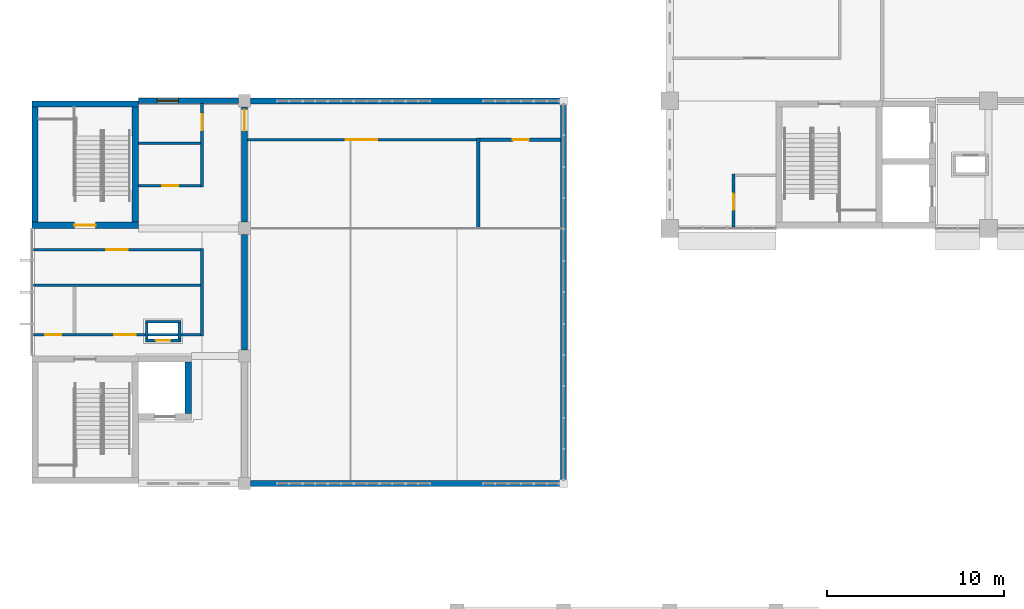
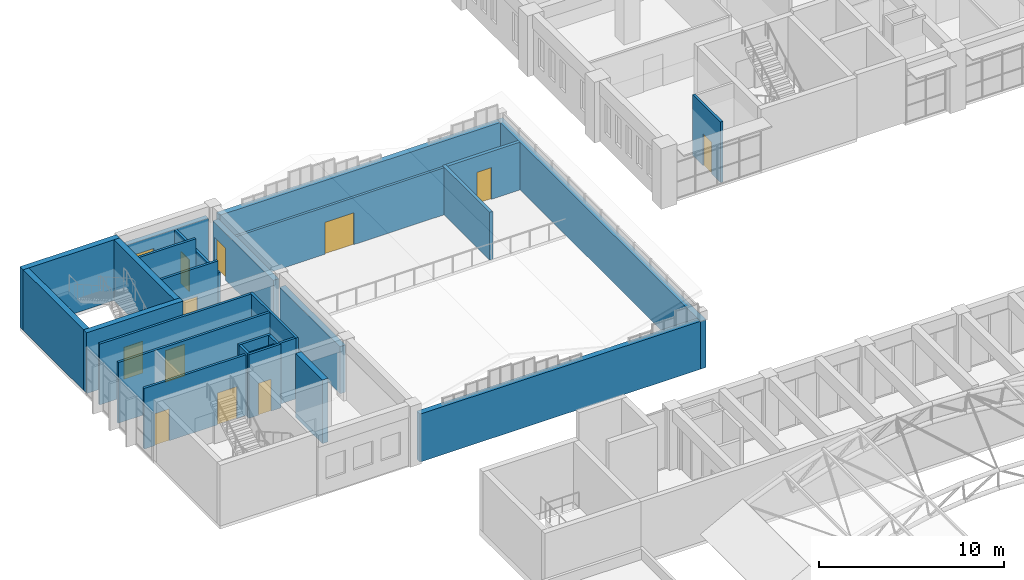
# One storey, part 62 of 92: 26 walls, 11 doors, 1 window, 12 openings.
"""IFC4 building model written with IfcOpenShell, lengths in metres."""

import ifcopenshell
import ifcopenshell.guid

model = None  # the IFC model being written
_history = None  # IfcOwnerHistory: only IFC2X3 demands one
_inside = {}  # id of a spatial element -> (the spatial element, [elements in it])
_under = {}  # id of a project, library or spatial element -> (it, [spatial elements below it])
_declared = {}  # id of a project -> (the project, [libraries it declares])
_typed = {}  # id of a type object -> (the type object, [elements of that type])
_made_of = {}  # id of a material, layer set ... -> (it, [elements and type objects made of it])


def new_model(schema):
    """Start an empty IFC model of exactly this schema.

    Asked for "IFC4X3", IfcOpenShell would pick the latest addendum, in which some entities
    have other attributes; the version numbers below select the first issue.
    IFC2X3 requires an IfcOwnerHistory on every rooted entity: one is made here for all.
    """
    global model, _history
    if schema == "IFC4X3":
        model = ifcopenshell.file(schema_version=(4, 3, 0, 0))
    else:
        model = ifcopenshell.file(schema=schema)
    _inside.clear()
    _under.clear()
    _declared.clear()
    _typed.clear()
    _made_of.clear()
    _history = None
    if model.schema == "IFC2X3":
        org = make("IfcOrganization", Name="unknown")
        user = make(
            "IfcPersonAndOrganization",
            ThePerson=make("IfcPerson", FamilyName="unknown"),
            TheOrganization=org,
        )
        app = make(
            "IfcApplication",
            ApplicationDeveloper=org,
            Version="unknown",
            ApplicationFullName="unknown",
            ApplicationIdentifier="unknown",
        )
        _history = make(
            "IfcOwnerHistory",
            OwningUser=user,
            OwningApplication=app,
            ChangeAction="ADDED",
            CreationDate=0,
        )
    return model


def make(cls, **values):
    """One entity of the class cls with the attributes given. An attribute that is None is left unset."""
    return model.create_entity(
        cls, **{name: value for name, value in values.items() if value is not None}
    )


def rooted(cls, **values):
    """An entity with a GlobalId (a new one), such as an element, a storey or a relation."""
    return make(cls, GlobalId=ifcopenshell.guid.new(), OwnerHistory=_history, **values)


def si_unit(unit_type, name, prefix=None):
    """IfcSIUnit, for example si_unit("LENGTHUNIT", "METRE", prefix="MILLI")."""
    return make("IfcSIUnit", UnitType=unit_type, Prefix=prefix, Name=name)


def assignment(units):
    """IfcUnitAssignment: the units of a project."""
    return None if units is None else make("IfcUnitAssignment", Units=units)


def point(xyz):
    """IfcCartesianPoint."""
    return None if xyz is None else make("IfcCartesianPoint", Coordinates=xyz)


def direction(xyz):
    """IfcDirection."""
    return None if xyz is None else make("IfcDirection", DirectionRatios=xyz)


def frame(location, z_axis=None, x_axis=None):
    """IfcAxis2Placement3D, a coordinate frame: its origin and axes. An axis left out is left unset."""
    return make(
        "IfcAxis2Placement3D",
        Location=point(location),
        Axis=direction(z_axis),
        RefDirection=direction(x_axis),
    )


def frame_2d(location, x_axis=None):
    """IfcAxis2Placement2D, a coordinate frame in the plane: its origin and x axis."""
    return make(
        "IfcAxis2Placement2D", Location=point(location), RefDirection=direction(x_axis)
    )


def origin():
    """The frame at (0, 0, 0) with its axes left unset."""
    return frame((0.0, 0.0, 0.0))


def place(relative_to, where):
    """IfcLocalPlacement: puts the frame where relative to a parent placement (None: the world)."""
    return make(
        "IfcLocalPlacement", PlacementRelTo=relative_to, RelativePlacement=where
    )


def context(
    kind, dimensions, precision=None, world=None, true_north=None, identifier=None
):
    """IfcGeometricRepresentationContext, for example the 3D "Model" context."""
    return make(
        "IfcGeometricRepresentationContext",
        ContextIdentifier=identifier,
        ContextType=kind,
        CoordinateSpaceDimension=dimensions,
        Precision=precision,
        WorldCoordinateSystem=world,
        TrueNorth=true_north,
    )


def subcontext(parent, identifier, kind, view, scale=None):
    """IfcGeometricRepresentationSubContext, for example "Body" below "Model"."""
    return make(
        "IfcGeometricRepresentationSubContext",
        ContextIdentifier=identifier,
        ContextType=kind,
        ParentContext=parent,
        TargetScale=scale,
        TargetView=view,
    )


def project(units=None, contexts=None):
    """IfcProject with its units and contexts."""
    return rooted(
        "IfcProject",
        Name="project",
        RepresentationContexts=contexts,
        UnitsInContext=assignment(units),
    )


def spatial(cls, under=None, at=None, **own):
    """A site, building, storey or space (cls), placed at a placement, below another one or the project."""
    s = rooted(cls, ObjectPlacement=at, **own)
    if under is not None:
        _under.setdefault(under.id(), (under, []))[1].append(s)
    return s


def profile(cls, at=None, kind="AREA", **sizes):
    """A parametric profile (cls). Its sizes go by their IFC names, for example OverallWidth=200.0."""
    return make(cls, ProfileType=kind, Position=at, **sizes)


def rectangle(**sizes):
    """IfcRectangleProfileDef."""
    return profile("IfcRectangleProfileDef", **sizes)


def extrude(swept, where, along, depth):
    """IfcExtrudedAreaSolid: the profile swept, set in the frame where, extruded along a direction by depth."""
    return make(
        "IfcExtrudedAreaSolid",
        SweptArea=swept,
        Position=where,
        ExtrudedDirection=direction(along),
        Depth=depth,
    )


def shape(context_of_items, identifier, shape_type, items):
    """IfcShapeRepresentation: the items that make up one representation, for example the "Body"."""
    return make(
        "IfcShapeRepresentation",
        ContextOfItems=context_of_items,
        RepresentationIdentifier=identifier,
        RepresentationType=shape_type,
        Items=items,
    )


def material(Name=None, Category=None):
    """IfcMaterial."""
    return make("IfcMaterial", Name=Name, Category=Category)


def layer(
    of_material, thickness, ventilated=None, Name=None, Category=None, Priority=None
):
    """IfcMaterialLayer: one layer of a wall or slab, of a material (None: an air gap)."""
    return make(
        "IfcMaterialLayer",
        Material=of_material,
        LayerThickness=thickness,
        IsVentilated=ventilated,
        Name=Name,
        Category=Category,
        Priority=Priority,
    )


def layer_set(layers, Name=None):
    """IfcMaterialLayerSet."""
    return make("IfcMaterialLayerSet", MaterialLayers=layers, LayerSetName=Name)


def made_of(thing, what):
    """Note that an element or type object is made of a material, layer set ...; save() writes the relation."""
    if what is not None:
        _made_of.setdefault(what.id(), (what, []))[1].append(thing)
    return thing


def type_object(cls, material=None, **own):
    """A type object (cls), such as IfcWallType, which elements share."""
    return made_of(rooted(cls, **own), material)


def element(
    cls,
    number,
    at=None,
    inside=None,
    cuts=None,
    type_object=None,
    material=None,
    context=None,
    identifier="Body",
    shape_type=None,
    held_by="IfcProductDefinitionShape",
    body=None,
    shapes=None,
    **own,
):
    """One element of the class cls, such as IfcWall. Its Tag is "e" and its number.

    at: its placement. inside: the storey or other place that contains it. cuts: it is an
    opening in that element (IfcRelVoidsElement). A single representation is given by context,
    identifier, shape_type and body (its items); several are given by shapes. held_by: the class
    of the entity that holds the representations. save() writes the other relations.
    """
    e = rooted(cls, Tag="e%d" % number, ObjectPlacement=at, **own)
    if body is not None:
        shapes = [shape(context, identifier, shape_type, body)]
    if shapes is not None:
        e.Representation = make(held_by, Representations=shapes)
    if inside is not None:
        _inside.setdefault(inside.id(), (inside, []))[1].append(e)
    if cuts is not None:
        rooted(
            "IfcRelVoidsElement", RelatingBuildingElement=cuts, RelatedOpeningElement=e
        )
    if type_object is not None:
        _typed.setdefault(type_object.id(), (type_object, []))[1].append(e)
    return made_of(e, material)


def fill(opening, filler):
    """IfcRelFillsElement: the door or window that sits in an opening."""
    return rooted(
        "IfcRelFillsElement",
        RelatingOpeningElement=opening,
        RelatedBuildingElement=filler,
    )


def aggregate(whole, parts):
    """IfcRelAggregates: a whole, such as a stair, and the parts it consists of."""
    return rooted("IfcRelAggregates", RelatingObject=whole, RelatedObjects=parts)


def save(model, path):
    """Write the relations noted so far, then the file.

    IfcRelAggregates (storeys below a building ...), IfcRelContainedInSpatialStructure (elements
    in a storey), IfcRelDefinesByType, IfcRelAssociatesMaterial and IfcRelDeclares: one each for
    every whole, place, type object, material and project.
    """
    for whole, parts in _under.values():
        aggregate(whole, parts)
    for where, things in _inside.values():
        rooted(
            "IfcRelContainedInSpatialStructure",
            RelatedElements=things,
            RelatingStructure=where,
        )
    for kind, things in _typed.values():
        rooted("IfcRelDefinesByType", RelatedObjects=things, RelatingType=kind)
    for what, things in _made_of.values():
        rooted("IfcRelAssociatesMaterial", RelatedObjects=things, RelatingMaterial=what)
    for by, libraries in _declared.values():
        rooted("IfcRelDeclares", RelatingContext=by, RelatedDefinitions=libraries)
    model.write(path)


model = new_model("IFC4")

# Units and contexts
model_context = context("Model", 3, precision=1e-05, world=origin(), true_north=direction((0.0, 1.0)))
body_context = subcontext(model_context, "Body", "Model", "MODEL_VIEW")
ifc_project = project(units=[si_unit("LENGTHUNIT", "METRE"), si_unit("AREAUNIT", "SQUARE_METRE"), si_unit("VOLUMEUNIT", "CUBIC_METRE"), si_unit("PLANEANGLEUNIT", "RADIAN"), si_unit("MASSUNIT", "GRAM", prefix="KILO")], contexts=[model_context])

# Site, building, storey
site_placement = place(None, origin())
site = spatial("IfcSite", under=ifc_project, at=site_placement, CompositionType="ELEMENT")
building_placement = place(site_placement, origin())
building = spatial("IfcBuilding", under=site, at=building_placement, Name="Laocheng Heights Fire and Rescue Headquarters", CompositionType="ELEMENT")
storey_placement = place(building_placement, frame((0.0, 0.0, 12.60009765625)))
storey = spatial("IfcBuildingStorey", under=building, at=storey_placement, Name="L03", CompositionType="ELEMENT", Elevation=12.60009765625)

# Wall, opening, door
ifc_material_1 = material(Name="Gypsum plaster")
ifc_layer_1 = layer(ifc_material_1, 0.010009765625, Name="PLASTER", Category="plaster")
ifc_material_2 = material(Name="Concrete blockwork MU10", Category="masonry")
ifc_layer_2 = layer(ifc_material_2, 0.1298828125, Name="BLOCKWORK", Category="masonry")
ifc_layer_3 = layer(ifc_material_1, 0.010009765625, Name="PLASTER", Category="plaster")
ifc_layer_set_1 = layer_set([ifc_layer_1, ifc_layer_2, ifc_layer_3], Name="Concrete blockwork MU10")
wall_type_1 = type_object("IfcWallType", Name="BLOCKWORK CORRIDOR WALL 150 EI 60 HQ WING", PredefinedType="PARTITIONING", material=ifc_layer_set_1)
wall_1_placement = place(storey_placement, frame((39.60009765625, 50.47509765625, 0.0), z_axis=(0.0, 0.0, 1.0), x_axis=(0.0, 1.0, 0.0)))
wall_1 = element("IfcWall", 1, at=wall_1_placement, inside=storey, type_object=wall_type_1, Name="Partition L03-001", PredefinedType="PARTITIONING", context=body_context, shape_type="SweptSolid", body=[
    extrude(rectangle(XDim=3.0, YDim=0.14990234375, at=frame_2d((1.5, 0.0))), origin(), (0.0, 0.0, 1.0), 4.0),
])
opening_1_placement = place(wall_1_placement, frame((0.97509765625, 0.0, 0.0)))
opening_1 = element("IfcOpeningElement", 2, at=opening_1_placement, cuts=wall_1, Name="Opening L03-Y01", PredefinedType="OPENING", context=body_context, shape_type="SweptSolid", body=[
    extrude(rectangle(XDim=0.89990234375, YDim=2.10009765625, at=frame_2d((0.449951171875, 1.050048828125))), frame((0.0, 0.0849609375, 0.0), z_axis=(0.0, -1.0, 0.0), x_axis=(1.0, 0.0, 0.0)), (0.0, 0.0, 1.0), 0.169921875),
])
ifc_material_3 = material(Name="Timber door leaf, veneered", Category="wood")
door_type_1 = type_object("IfcDoorType", Name="TIMBER DOOR 900x2100 EI 30 HQ WING", OperationType="SINGLE_SWING_LEFT", PredefinedType="DOOR", material=ifc_material_3)
door_1_placement = place(opening_1_placement, frame((0.89990234375, 0.0, 0.0), z_axis=(0.0, 0.0, 1.0), x_axis=(-1.0, 0.0, 0.0)))
door_1 = element("IfcDoor", 3, at=door_1_placement, inside=storey, type_object=door_type_1, Name="Door L03-Y01", OperationType="SINGLE_SWING_LEFT", OverallHeight=2.10009765625, OverallWidth=0.89990234375, PredefinedType="DOOR", context=body_context, shape_type="SweptSolid", body=[
    extrude(rectangle(XDim=0.89990234375, YDim=2.10009765625, at=frame_2d((0.449951171875, 1.050048828125))), frame((0.0, 0.02490234375, 0.0), z_axis=(0.0, -1.0, 0.0), x_axis=(1.0, 0.0, 0.0)), (0.0, 0.0, 1.0), 0.050048828125),
])
fill(opening_1, door_1)

# Wall
ifc_material_4 = material(Name="Gypsum plaster")
ifc_layer_4 = layer(ifc_material_4, 0.010009765625, Name="PLASTER", Category="plaster")
ifc_material_5 = material(Name="Concrete blockwork MU10", Category="masonry")
ifc_layer_5 = layer(ifc_material_5, 0.1298828125, Name="BLOCKWORK", Category="masonry")
ifc_layer_6 = layer(ifc_material_4, 0.010009765625, Name="PLASTER", Category="plaster")
ifc_layer_set_2 = layer_set([ifc_layer_4, ifc_layer_5, ifc_layer_6], Name="Concrete blockwork MU10")
wall_type_2 = type_object("IfcWallType", Name="BLOCKWORK CORRIDOR WALL 150 EI 60 PAVILION", PredefinedType="PARTITIONING", material=ifc_layer_set_2)
wall_2_placement = place(storey_placement, frame((9.60009765625, 44.324951171875, 0.0), z_axis=(0.0, 0.0, 1.0), x_axis=(0.0, 1.0, 0.0)))
element("IfcWall", 4, at=wall_2_placement, inside=storey, type_object=wall_type_2, Name="Partition L03-002", PredefinedType="PARTITIONING", context=body_context, shape_type="SweptSolid", body=[
    extrude(rectangle(XDim=4.949951171875, YDim=0.14990234375, at=frame_2d((2.47509765625, 0.0))), origin(), (0.0, 0.0, 1.0), 4.0),
])

# Wall, opening, door
wall_3_placement = place(storey_placement, frame((9.60009765625, 52.72509765625, 0.0), z_axis=(0.0, 0.0, 1.0), x_axis=(0.0, 1.0, 0.0)))
wall_3 = element("IfcWall", 5, at=wall_3_placement, inside=storey, type_object=wall_type_2, Name="Partition L03-003", PredefinedType="PARTITIONING", context=body_context, shape_type="SweptSolid", body=[
    extrude(rectangle(XDim=4.724853515625, YDim=0.14990234375, at=frame_2d((2.3623046875, 0.0))), origin(), (0.0, 0.0, 1.0), 3.199951171875),
])
opening_2_placement = place(wall_3_placement, frame((3.22509765625, 0.0, 0.0)))
opening_2 = element("IfcOpeningElement", 6, at=opening_2_placement, cuts=wall_3, Name="Opening L03-P01", PredefinedType="OPENING", context=body_context, shape_type="SweptSolid", body=[
    extrude(rectangle(XDim=0.89990234375, YDim=2.10009765625, at=frame_2d((0.449951171875, 1.050048828125))), frame((0.0, 0.0849609375, 0.0), z_axis=(0.0, -1.0, 0.0), x_axis=(1.0, 0.0, 0.0)), (0.0, 0.0, 1.0), 0.169921875),
])
ifc_material_6 = material(Name="Timber door leaf, veneered", Category="wood")
door_type_2 = type_object("IfcDoorType", Name="TIMBER DOOR 900x2100 EI 30 PAVILION", OperationType="SINGLE_SWING_LEFT", PredefinedType="DOOR", material=ifc_material_6)
door_2_placement = place(opening_2_placement, frame((0.89990234375, 0.0, 0.0), z_axis=(0.0, 0.0, 1.0), x_axis=(-1.0, 0.0, 0.0)))
door_2 = element("IfcDoor", 7, at=door_2_placement, inside=storey, type_object=door_type_2, Name="Door L03-P01", OperationType="SINGLE_SWING_LEFT", OverallHeight=2.10009765625, OverallWidth=0.89990234375, PredefinedType="DOOR", context=body_context, shape_type="SweptSolid", body=[
    extrude(rectangle(XDim=0.89990234375, YDim=2.10009765625, at=frame_2d((0.449951171875, 1.050048828125))), frame((0.0, 0.02490234375, 0.0), z_axis=(0.0, -1.0, 0.0), x_axis=(1.0, 0.0, 0.0)), (0.0, 0.0, 1.0), 0.050048828125),
])
fill(opening_2, door_2)

# Wall, openings, doors
wall_4_placement = place(storey_placement, frame((0.074951171875, 44.39990234375, 0.0), z_axis=(0.0, 0.0, 1.0), x_axis=(1.0, 0.0, 0.0)))
wall_4 = element("IfcWall", 8, at=wall_4_placement, inside=storey, type_object=wall_type_2, Name="Partition L03-005", PredefinedType="PARTITIONING", context=body_context, shape_type="SweptSolid", body=[
    extrude(rectangle(XDim=9.449951171875, YDim=0.14990234375, at=frame_2d((4.72509765625, 0.0))), origin(), (0.0, 0.0, 1.0), 4.0),
])
opening_3_placement = place(wall_4_placement, frame((0.675048828125, 0.0, 0.0)))
opening_3 = element("IfcOpeningElement", 9, at=opening_3_placement, cuts=wall_4, Name="Opening L03-P03", PredefinedType="OPENING", context=body_context, shape_type="SweptSolid", body=[
    extrude(rectangle(XDim=0.89990234375, YDim=2.10009765625, at=frame_2d((0.449951171875, 1.050048828125))), frame((0.0, 0.0849609375, 0.0), z_axis=(0.0, -1.0, 0.0), x_axis=(1.0, 0.0, 0.0)), (0.0, 0.0, 1.0), 0.169921875),
])
opening_4_placement = place(wall_4_placement, frame((4.574951171875, 0.0, 0.0)))
opening_4 = element("IfcOpeningElement", 10, at=opening_4_placement, cuts=wall_4, Name="Opening L03-P04", PredefinedType="OPENING", context=body_context, shape_type="SweptSolid", body=[
    extrude(rectangle(XDim=1.199951171875, YDim=2.10009765625, at=frame_2d((0.60009765625, 1.050048828125))), frame((0.0, 0.0849609375, 0.0), z_axis=(0.0, -1.0, 0.0), x_axis=(1.0, 0.0, 0.0)), (0.0, 0.0, 1.0), 0.169921875),
])
ifc_material_7 = material(Name="Timber door leaf, veneered", Category="wood")
door_type_3 = type_object("IfcDoorType", Name="TIMBER DOOR 1200x2100 EI 30 PAVILION", OperationType="SINGLE_SWING_LEFT", PredefinedType="DOOR", material=ifc_material_7)
door_3_placement = place(opening_4_placement, frame((1.199951171875, 0.0, 0.0), z_axis=(0.0, 0.0, 1.0), x_axis=(-1.0, 0.0, 0.0)))
door_3 = element("IfcDoor", 11, at=door_3_placement, inside=storey, type_object=door_type_3, Name="Door L03-P04", OperationType="SINGLE_SWING_LEFT", OverallHeight=2.10009765625, OverallWidth=1.199951171875, PredefinedType="DOOR", context=body_context, shape_type="SweptSolid", body=[
    extrude(rectangle(XDim=1.199951171875, YDim=2.10009765625, at=frame_2d((0.60009765625, 1.050048828125))), frame((0.0, 0.02490234375, 0.0), z_axis=(0.0, -1.0, 0.0), x_axis=(1.0, 0.0, 0.0)), (0.0, 0.0, 1.0), 0.050048828125),
])
fill(opening_4, door_3)
door_4_placement = place(opening_3_placement, frame((0.89990234375, 0.0, 0.0), z_axis=(0.0, 0.0, 1.0), x_axis=(-1.0, 0.0, 0.0)))
door_4 = element("IfcDoor", 12, at=door_4_placement, inside=storey, type_object=door_type_2, Name="Door L03-P03", OperationType="SINGLE_SWING_RIGHT", OverallHeight=2.10009765625, OverallWidth=0.89990234375, PredefinedType="DOOR", context=body_context, shape_type="SweptSolid", body=[
    extrude(rectangle(XDim=0.89990234375, YDim=2.10009765625, at=frame_2d((0.449951171875, 1.050048828125))), frame((0.0, 0.02490234375, 0.0), z_axis=(0.0, -1.0, 0.0), x_axis=(1.0, 0.0, 0.0)), (0.0, 0.0, 1.0), 0.050048828125),
])
fill(opening_3, door_4)

# Wall
wall_5_placement = place(storey_placement, frame((0.074951171875, 47.199951171875, 0.0), z_axis=(0.0, 0.0, 1.0), x_axis=(1.0, 0.0, 0.0)))
element("IfcWall", 13, at=wall_5_placement, inside=storey, type_object=wall_type_2, Name="Partition L03-006", PredefinedType="PARTITIONING", context=body_context, shape_type="SweptSolid", body=[
    extrude(rectangle(XDim=9.449951171875, YDim=0.14990234375, at=frame_2d((4.72509765625, 0.0))), origin(), (0.0, 0.0, 1.0), 4.0),
])

# Wall, opening, door
wall_6_placement = place(storey_placement, frame((0.074951171875, 49.199951171875, 0.0), z_axis=(0.0, 0.0, 1.0), x_axis=(1.0, 0.0, 0.0)))
wall_6 = element("IfcWall", 14, at=wall_6_placement, inside=storey, type_object=wall_type_2, Name="Partition L03-007", PredefinedType="PARTITIONING", context=body_context, shape_type="SweptSolid", body=[
    extrude(rectangle(XDim=9.449951171875, YDim=0.14990234375, at=frame_2d((4.72509765625, 0.0))), origin(), (0.0, 0.0, 1.0), 4.0),
])
opening_5_placement = place(wall_6_placement, frame((4.125, 0.0, 0.0)))
opening_5 = element("IfcOpeningElement", 15, at=opening_5_placement, cuts=wall_6, Name="Opening L03-P05", PredefinedType="OPENING", context=body_context, shape_type="SweptSolid", body=[
    extrude(rectangle(XDim=1.199951171875, YDim=2.10009765625, at=frame_2d((0.60009765625, 1.050048828125))), frame((0.0, 0.0849609375, 0.0), z_axis=(0.0, -1.0, 0.0), x_axis=(1.0, 0.0, 0.0)), (0.0, 0.0, 1.0), 0.169921875),
])
door_5_placement = place(opening_5_placement, origin())
door_5 = element("IfcDoor", 16, at=door_5_placement, inside=storey, type_object=door_type_3, Name="Door L03-P05", OperationType="SINGLE_SWING_LEFT", OverallHeight=2.10009765625, OverallWidth=1.199951171875, PredefinedType="DOOR", context=body_context, shape_type="SweptSolid", body=[
    extrude(rectangle(XDim=1.199951171875, YDim=2.10009765625, at=frame_2d((0.60009765625, 1.050048828125))), frame((0.0, 0.02490234375, 0.0), z_axis=(0.0, -1.0, 0.0), x_axis=(1.0, 0.0, 0.0)), (0.0, 0.0, 1.0), 0.050048828125),
])
fill(opening_5, door_5)

wall_7_placement = place(storey_placement, frame((6.0, 52.800048828125, 0.0), z_axis=(0.0, 0.0, 1.0), x_axis=(1.0, 0.0, 0.0)))
wall_7 = element("IfcWall", 17, at=wall_7_placement, inside=storey, type_object=wall_type_2, Name="Partition L03-008", PredefinedType="PARTITIONING", context=body_context, shape_type="SweptSolid", body=[
    extrude(rectangle(XDim=3.52490234375, YDim=0.14990234375, at=frame_2d((1.762451171875, 0.0))), origin(), (0.0, 0.0, 1.0), 4.0),
])
opening_6_placement = place(wall_7_placement, frame((1.35009765625, 0.0, 0.0)))
opening_6 = element("IfcOpeningElement", 18, at=opening_6_placement, cuts=wall_7, Name="Opening L03-P06", PredefinedType="OPENING", context=body_context, shape_type="SweptSolid", body=[
    extrude(rectangle(XDim=0.89990234375, YDim=2.10009765625, at=frame_2d((0.449951171875, 1.050048828125))), frame((0.0, 0.0849609375, 0.0), z_axis=(0.0, -1.0, 0.0), x_axis=(1.0, 0.0, 0.0)), (0.0, 0.0, 1.0), 0.169921875),
])
door_6_placement = place(opening_6_placement, frame((0.89990234375, 0.0, 0.0), z_axis=(0.0, 0.0, 1.0), x_axis=(-1.0, 0.0, 0.0)))
door_6 = element("IfcDoor", 19, at=door_6_placement, inside=storey, type_object=door_type_2, Name="Door L03-P06", OperationType="SINGLE_SWING_RIGHT", OverallHeight=2.10009765625, OverallWidth=0.89990234375, PredefinedType="DOOR", context=body_context, shape_type="SweptSolid", body=[
    extrude(rectangle(XDim=0.89990234375, YDim=2.10009765625, at=frame_2d((0.449951171875, 1.050048828125))), frame((0.0, 0.02490234375, 0.0), z_axis=(0.0, -1.0, 0.0), x_axis=(1.0, 0.0, 0.0)), (0.0, 0.0, 1.0), 0.050048828125),
])
fill(opening_6, door_6)

# Wall
wall_8_placement = place(storey_placement, frame((6.0, 55.199951171875, 0.0), z_axis=(0.0, 0.0, 1.0), x_axis=(1.0, 0.0, 0.0)))
element("IfcWall", 20, at=wall_8_placement, inside=storey, type_object=wall_type_2, Name="Partition L03-009", PredefinedType="PARTITIONING", context=body_context, shape_type="SweptSolid", body=[
    extrude(rectangle(XDim=3.52490234375, YDim=0.14990234375, at=frame_2d((1.762451171875, 0.0))), origin(), (0.0, 0.0, 1.0), 4.0),
])

# Wall, opening, door
wall_9_placement = place(storey_placement, frame((12.175048828125, 55.39990234375, 0.0), z_axis=(0.0, 0.0, 1.0), x_axis=(1.0, 0.0, 0.0)))
wall_9 = element("IfcWall", 21, at=wall_9_placement, inside=storey, type_object=wall_type_2, Name="Partition L03-010", PredefinedType="PARTITIONING", context=body_context, shape_type="SweptSolid", body=[
    extrude(rectangle(XDim=12.925048828125, YDim=0.14990234375, at=frame_2d((6.46240234375, 0.0))), origin(), (0.0, 0.0, 1.0), 3.099853515625),
])
opening_7_placement = place(wall_9_placement, frame((5.52490234375, 0.0, 0.0)))
opening_7 = element("IfcOpeningElement", 22, at=opening_7_placement, cuts=wall_9, Name="Opening L03-P07", PredefinedType="OPENING", context=body_context, shape_type="SweptSolid", body=[
    extrude(rectangle(XDim=1.800048828125, YDim=2.10009765625, at=frame_2d((0.89990234375, 1.050048828125))), frame((0.0, 0.0849609375, 0.0), z_axis=(0.0, -1.0, 0.0), x_axis=(1.0, 0.0, 0.0)), (0.0, 0.0, 1.0), 0.169921875),
])
ifc_material_8 = material(Name="Timber door leaf, veneered", Category="wood")
door_type_4 = type_object("IfcDoorType", Name="TIMBER DOOR 1800x2100 EI 30 PAVILION", OperationType="DOUBLE_DOOR_SINGLE_SWING", PredefinedType="DOOR", material=ifc_material_8)
door_7_placement = place(opening_7_placement, frame((1.800048828125, 0.0, 0.0), z_axis=(0.0, 0.0, 1.0), x_axis=(-1.0, 0.0, 0.0)))
door_7 = element("IfcDoor", 23, at=door_7_placement, inside=storey, type_object=door_type_4, Name="Door L03-P07", OperationType="DOUBLE_DOOR_SINGLE_SWING", OverallHeight=2.10009765625, OverallWidth=1.800048828125, PredefinedType="DOOR", context=body_context, shape_type="SweptSolid", body=[
    extrude(rectangle(XDim=1.800048828125, YDim=2.10009765625, at=frame_2d((0.89990234375, 1.050048828125))), frame((0.0, 0.02490234375, 0.0), z_axis=(0.0, -1.0, 0.0), x_axis=(1.0, 0.0, 0.0)), (0.0, 0.0, 1.0), 0.050048828125),
])
fill(opening_7, door_7)

# Wall
ifc_material_9 = material(Name="Gypsum plaster")
ifc_layer_7 = layer(ifc_material_9, 0.010009765625, Name="PLASTER", Category="plaster")
ifc_material_10 = material(Name="Concrete blockwork MU10", Category="masonry")
ifc_layer_8 = layer(ifc_material_10, 0.179931640625, Name="BLOCKWORK", Category="masonry")
ifc_layer_9 = layer(ifc_material_9, 0.010009765625, Name="PLASTER", Category="plaster")
ifc_layer_set_3 = layer_set([ifc_layer_7, ifc_layer_8, ifc_layer_9], Name="Concrete blockwork MU10")
wall_type_3 = type_object("IfcWallType", Name="BLOCKWORK FIRE PARTITION 200 EI 120 PAVILION", PredefinedType="PARTITIONING", material=ifc_layer_set_3)
wall_10_placement = place(storey_placement, frame((25.199951171875, 50.39990234375, 0.0), z_axis=(0.0, 0.0, 1.0), x_axis=(0.0, 1.0, 0.0)))
element("IfcWall", 24, at=wall_10_placement, inside=storey, type_object=wall_type_3, Name="Partition L03-004", PredefinedType="PARTITIONING", context=body_context, shape_type="SweptSolid", body=[
    extrude(rectangle(XDim=5.10009765625, YDim=0.199951171875, at=frame_2d((2.550048828125, 0.0))), origin(), (0.0, 0.0, 1.0), 3.14990234375),
])

# Wall, opening, door
wall_11_placement = place(storey_placement, frame((25.300048828125, 55.39990234375, 0.0), z_axis=(0.0, 0.0, 1.0), x_axis=(1.0, 0.0, 0.0)))
wall_11 = element("IfcWall", 25, at=wall_11_placement, inside=storey, type_object=wall_type_3, Name="Partition L03-011", PredefinedType="PARTITIONING", context=body_context, shape_type="SweptSolid", body=[
    extrude(rectangle(XDim=4.52490234375, YDim=0.199951171875, at=frame_2d((2.262451171875, 0.0))), origin(), (0.0, 0.0, 1.0), 3.14990234375),
])
opening_8_placement = place(wall_11_placement, frame((1.85009765625, 0.0, 0.0)))
opening_8 = element("IfcOpeningElement", 26, at=opening_8_placement, cuts=wall_11, Name="Opening L03-P08", PredefinedType="OPENING", context=body_context, shape_type="SweptSolid", body=[
    extrude(rectangle(XDim=0.89990234375, YDim=2.10009765625, at=frame_2d((0.449951171875, 1.050048828125))), frame((0.0, 0.10986328125, 0.0), z_axis=(0.0, -1.0, 0.0), x_axis=(1.0, 0.0, 0.0)), (0.0, 0.0, 1.0), 0.219970703125),
])
ifc_material_11 = material(Name="Steel door leaf, painted", Category="steel")
door_type_5 = type_object("IfcDoorType", Name="STEEL FIRE DOOR 900x2100 EI 120 PAVILION", OperationType="SINGLE_SWING_LEFT", PredefinedType="DOOR", material=ifc_material_11)
door_8_placement = place(opening_8_placement, frame((0.89990234375, 0.0, 0.0), z_axis=(0.0, 0.0, 1.0), x_axis=(-1.0, 0.0, 0.0)))
door_8 = element("IfcDoor", 27, at=door_8_placement, inside=storey, type_object=door_type_5, Name="Door L03-P08", OperationType="SINGLE_SWING_LEFT", OverallHeight=2.10009765625, OverallWidth=0.89990234375, PredefinedType="DOOR", context=body_context, shape_type="SweptSolid", body=[
    extrude(rectangle(XDim=0.89990234375, YDim=2.10009765625, at=frame_2d((0.449951171875, 1.050048828125))), frame((0.0, 0.02490234375, 0.0), z_axis=(0.0, -1.0, 0.0), x_axis=(1.0, 0.0, 0.0)), (0.0, 0.0, 1.0), 0.050048828125),
])
fill(opening_8, door_8)

# Wall, opening, window
ifc_material_12 = material(Name="Precast concrete C40/50", Category="concrete")
ifc_layer_10 = layer(ifc_material_12, 0.300048828125)
ifc_layer_set_4 = layer_set([ifc_layer_10], Name="Precast concrete C40/50")
wall_type_4 = type_object("IfcWallType", Name="PRECAST WALL PANEL FOYER 300", PredefinedType="SOLIDWALL", material=ifc_layer_set_4)
wall_12_placement = place(storey_placement, frame((6.0, 57.60009765625, 0.0), z_axis=(0.0, 0.0, 1.0), x_axis=(1.0, 0.0, 0.0)))
wall_12 = element("IfcWall", 28, at=wall_12_placement, inside=storey, type_object=wall_type_4, Name="PRECAST WALL PANEL FOYER FOYER NORTH L03", PredefinedType="SOLIDWALL", context=body_context, shape_type="SweptSolid", body=[
    extrude(rectangle(XDim=5.64990234375, YDim=0.300048828125, at=frame_2d((2.824951171875, 0.0))), origin(), (0.0, 0.0, 1.0), 3.199951171875),
])
opening_9_placement = place(wall_12_placement, frame((1.06494140625, 0.0, 0.89990234375)))
opening_9 = element("IfcOpeningElement", 29, at=opening_9_placement, cuts=wall_12, Name="Opening N1-V", PredefinedType="OPENING", context=body_context, shape_type="SweptSolid", body=[
    extrude(rectangle(XDim=1.199951171875, YDim=1.5, at=frame_2d((0.60009765625, 0.75))), frame((0.0, 0.159912109375, 0.0), z_axis=(0.0, -1.0, 0.0), x_axis=(1.0, 0.0, 0.0)), (0.0, 0.0, 1.0), 0.320068359375),
])
ifc_material_13 = material(Name="Low-e double glazing in aluminium frame", Category="aluminium")
window_type = type_object("IfcWindowType", Name="WINDOW 1200 x 1500 FOYER ALUMINIUM", PartitioningType="SINGLE_PANEL", PredefinedType="WINDOW", material=ifc_material_13)
window_placement = place(opening_9_placement, origin())
window = element("IfcWindow", 30, at=window_placement, inside=storey, type_object=window_type, Name="FOYER ALUMINIUM FOYER NORTH L03", OverallHeight=1.5, OverallWidth=1.199951171875, PartitioningType="SINGLE_PANEL", PredefinedType="WINDOW", context=body_context, shape_type="SweptSolid", body=[
    extrude(rectangle(XDim=1.199951171875, YDim=1.5, at=frame_2d((0.60009765625, 0.75))), frame((0.0, 0.030029296875, 0.0), z_axis=(0.0, -1.0, 0.0), x_axis=(1.0, 0.0, 0.0)), (0.0, 0.0, 1.0), 0.06005859375),
])
fill(opening_9, window)

# Walls
ifc_material_14 = material(Name="Concrete C50", Category="concrete")
ifc_layer_11 = layer(ifc_material_14, 0.35009765625)
ifc_layer_set_5 = layer_set([ifc_layer_11], Name="Concrete C50")
wall_type_5 = type_object("IfcWallType", Name="RC LIFT SHAFT WALL 350", PredefinedType="SHEAR", material=ifc_layer_set_5)
wall_13_placement = place(storey_placement, frame((8.824951171875, 39.949951171875, 0.0), z_axis=(0.0, 0.0, 1.0), x_axis=(0.0, 1.0, 0.0)))
element("IfcWall", 31, at=wall_13_placement, inside=storey, type_object=wall_type_5, Name="Lift shaft wall", PredefinedType="SHEAR", context=body_context, shape_type="SweptSolid", body=[
    extrude(rectangle(XDim=2.900146484375, YDim=0.35009765625, at=frame_2d((1.4501953125, 0.0))), origin(), (0.0, 0.0, 1.0), 4.199951171875),
])
ifc_material_15 = material(Name="Concrete C40", Category="concrete")
ifc_layer_12 = layer(ifc_material_15, 0.35009765625)
ifc_layer_set_6 = layer_set([ifc_layer_12], Name="Concrete C40")
wall_type_6 = type_object("IfcWallType", Name="RC SHEAR WALL 350 THEATRE", PredefinedType="SHEAR", material=ifc_layer_set_6)
wall_14_placement = place(storey_placement, frame((30.0, 35.824951171875, 0.0), z_axis=(0.0, 0.0, 1.0), x_axis=(0.0, 1.0, 0.0)))
element("IfcWall", 32, at=wall_14_placement, inside=storey, type_object=wall_type_6, Name="Theatre east wall L03", PredefinedType="SHEAR", context=body_context, shape_type="SweptSolid", body=[
    extrude(rectangle(XDim=21.949951171875, YDim=0.35009765625, at=frame_2d((10.97509765625, 0.0))), origin(), (0.0, 0.0, 1.0), 3.14990234375),
])
wall_15_placement = place(storey_placement, frame((12.0, 43.550048828125, 0.0), z_axis=(0.0, 0.0, 1.0), x_axis=(0.0, 1.0, 0.0)))
element("IfcWall", 33, at=wall_15_placement, inside=storey, type_object=wall_type_6, Name="Theatre west wall L03", PredefinedType="SHEAR", context=body_context, shape_type="SweptSolid", body=[
    extrude(rectangle(XDim=6.5, YDim=0.35009765625, at=frame_2d((3.25, 0.0))), origin(), (0.0, 0.0, 1.0), 3.099853515625),
])

# Wall, opening, door
wall_16_placement = place(storey_placement, frame((12.0, 50.75, 0.0), z_axis=(0.0, 0.0, 1.0), x_axis=(0.0, 1.0, 0.0)))
wall_16 = element("IfcWall", 34, at=wall_16_placement, inside=storey, type_object=wall_type_6, Name="Theatre west wall L03", PredefinedType="SHEAR", context=body_context, shape_type="SweptSolid", body=[
    extrude(rectangle(XDim=6.5, YDim=0.35009765625, at=frame_2d((3.25, 0.0))), origin(), (0.0, 0.0, 1.0), 3.099853515625),
])
opening_10_placement = place(wall_16_placement, frame((5.14990234375, 0.0, 0.0)))
opening_10 = element("IfcOpeningElement", 35, at=opening_10_placement, cuts=wall_16, Name="Opening L03-P02", PredefinedType="OPENING", context=body_context, shape_type="SweptSolid", body=[
    extrude(rectangle(XDim=1.199951171875, YDim=2.10009765625, at=frame_2d((0.60009765625, 1.050048828125))), frame((0.0, 0.18505859375, 0.0), z_axis=(0.0, -1.0, 0.0), x_axis=(1.0, 0.0, 0.0)), (0.0, 0.0, 1.0), 0.3701171875),
])
ifc_material_16 = material(Name="Steel door leaf, painted", Category="steel")
door_type_6 = type_object("IfcDoorType", Name="STEEL FIRE DOOR 1200x2100 EI 60 PAVILION", OperationType="SINGLE_SWING_LEFT", PredefinedType="DOOR", material=ifc_material_16)
door_9_placement = place(opening_10_placement, origin())
door_9 = element("IfcDoor", 36, at=door_9_placement, inside=storey, type_object=door_type_6, Name="Door L03-P02", OperationType="SINGLE_SWING_RIGHT", OverallHeight=2.10009765625, OverallWidth=1.199951171875, PredefinedType="DOOR", context=body_context, shape_type="SweptSolid", body=[
    extrude(rectangle(XDim=1.199951171875, YDim=2.10009765625, at=frame_2d((0.60009765625, 1.050048828125))), frame((0.0, 0.02490234375, 0.0), z_axis=(0.0, -1.0, 0.0), x_axis=(1.0, 0.0, 0.0)), (0.0, 0.0, 1.0), 0.050048828125),
])
fill(opening_10, door_9)

# Walls
for number, where, z_axis, x_axis, name in (
    (37, (12.35009765625, 36.0, 0.0), (0.0, 0.0, 1.0), (1.0, 0.0, 0.0), "Theatre gable wall L03"),
    (38, (12.35009765625, 57.60009765625, 0.0), (0.0, 0.0, 1.0), (1.0, 0.0, 0.0), "Theatre gable wall L03"),
):
    element("IfcWall", number, at=place(storey_placement, frame(where, z_axis=z_axis, x_axis=x_axis)), inside=storey, type_object=wall_type_6, Name=name, PredefinedType="SHEAR", context=body_context, shape_type="SweptSolid", body=[
        extrude(rectangle(XDim=17.474853515625, YDim=0.35009765625, at=frame_2d((8.7373046875, 0.0))), origin(), (0.0, 0.0, 1.0), 3.158447265625),
    ])

# Wall, opening, door
ifc_material_17 = material(Name="Concrete C50", Category="concrete")
ifc_layer_13 = layer(ifc_material_17, 0.35009765625)
ifc_layer_set_7 = layer_set([ifc_layer_13], Name="Concrete C50")
wall_type_7 = type_object("IfcWallType", Name="RC STAIR ENCLOSURE WALL 350", PredefinedType="SHEAR", material=ifc_layer_set_7)
wall_17_placement = place(storey_placement, frame((0.0, 50.574951171875, 0.0), z_axis=(0.0, 0.0, 1.0), x_axis=(1.0, 0.0, 0.0)))
wall_17 = element("IfcWall", 39, at=wall_17_placement, inside=storey, type_object=wall_type_7, Name="Stair enclosure wall", PredefinedType="SHEAR", context=body_context, shape_type="SweptSolid", body=[
    extrude(rectangle(XDim=6.0, YDim=0.35009765625, at=frame_2d((3.0, 0.0))), origin(), (0.0, 0.0, 1.0), 4.0),
])
opening_11_placement = place(wall_17_placement, frame((2.39990234375, 0.0, 0.0)))
opening_11 = element("IfcOpeningElement", 40, at=opening_11_placement, cuts=wall_17, Name="Opening L03-K09", PredefinedType="OPENING", context=body_context, shape_type="SweptSolid", body=[
    extrude(rectangle(XDim=1.199951171875, YDim=2.10009765625, at=frame_2d((0.60009765625, 1.050048828125))), frame((0.0, 0.18505859375, 0.0), z_axis=(0.0, -1.0, 0.0), x_axis=(1.0, 0.0, 0.0)), (0.0, 0.0, 1.0), 0.3701171875),
])
ifc_material_18 = material(Name="Painted steel", Category="steel")
door_type_7 = type_object("IfcDoorType", Name="FIRE DOOR 1200x2100 EI 60", OperationType="SINGLE_SWING_LEFT", PredefinedType="DOOR", material=ifc_material_18)
door_10_placement = place(opening_11_placement, origin())
door_10 = element("IfcDoor", 41, at=door_10_placement, inside=storey, type_object=door_type_7, Name="Stair P2 door", OperationType="SINGLE_SWING_LEFT", OverallHeight=2.10009765625, OverallWidth=1.199951171875, PredefinedType="DOOR", context=body_context, shape_type="SweptSolid", body=[
    extrude(rectangle(XDim=1.199951171875, YDim=2.10009765625, at=frame_2d((0.60009765625, 1.050048828125))), frame((0.0, 0.02490234375, 0.0), z_axis=(0.0, -1.0, 0.0), x_axis=(1.0, 0.0, 0.0)), (0.0, 0.0, 1.0), 0.050048828125),
])
fill(opening_11, door_10)

# Walls
wall_18_placement = place(storey_placement, frame((0.0, 57.425048828125, 0.0), z_axis=(0.0, 0.0, 1.0), x_axis=(1.0, 0.0, 0.0)))
element("IfcWall", 42, at=wall_18_placement, inside=storey, type_object=wall_type_7, Name="Stair enclosure wall", PredefinedType="SHEAR", context=body_context, shape_type="SweptSolid", body=[
    extrude(rectangle(XDim=6.0, YDim=0.35009765625, at=frame_2d((3.0, 0.0))), origin(), (0.0, 0.0, 1.0), 4.0),
])
for number, where, z_axis, x_axis, name in (
    (43, (0.175048828125, 50.75, 0.0), (0.0, 0.0, 1.0), (0.0, 1.0, 0.0), "Stair enclosure wall"),
    (44, (5.824951171875, 50.75, 0.0), (0.0, 0.0, 1.0), (0.0, 1.0, 0.0), "Stair enclosure wall"),
):
    element("IfcWall", number, at=place(storey_placement, frame(where, z_axis=z_axis, x_axis=x_axis)), inside=storey, type_object=wall_type_7, Name=name, PredefinedType="SHEAR", context=body_context, shape_type="SweptSolid", body=[
        extrude(rectangle(XDim=6.5, YDim=0.35009765625, at=frame_2d((3.25, 0.0))), origin(), (0.0, 0.0, 1.0), 4.0),
    ])

# Wall, opening, door
ifc_material_19 = material(Name="Concrete C30", Category="concrete")
ifc_layer_14 = layer(ifc_material_19, 0.14990234375)
ifc_layer_set_8 = layer_set([ifc_layer_14], Name="Concrete C30")
wall_type_8 = type_object("IfcWallType", Name="RISER SHAFT WALL 150", PredefinedType="SOLIDWALL", material=ifc_layer_set_8)
wall_19_placement = place(storey_placement, frame((6.39990234375, 44.074951171875, 0.0), z_axis=(0.0, 0.0, 1.0), x_axis=(1.0, 0.0, 0.0)))
wall_19 = element("IfcWall", 45, at=wall_19_placement, inside=storey, type_object=wall_type_8, Name="Riser shaft wall", PredefinedType="SOLIDWALL", context=body_context, shape_type="SweptSolid", body=[
    extrude(rectangle(XDim=2.0, YDim=0.14990234375, at=frame_2d((1.0, 0.0))), origin(), (0.0, 0.0, 1.0), 4.199951171875),
])
opening_12_placement = place(wall_19_placement, frame((0.60009765625, 0.0, 0.0)))
opening_12 = element("IfcOpeningElement", 46, at=opening_12_placement, cuts=wall_19, Name="Opening L03-K08", PredefinedType="OPENING", context=body_context, shape_type="SweptSolid", body=[
    extrude(rectangle(XDim=0.800048828125, YDim=2.10009765625, at=frame_2d((0.39990234375, 1.050048828125))), frame((0.0, 0.0849609375, 0.0), z_axis=(0.0, -1.0, 0.0), x_axis=(1.0, 0.0, 0.0)), (0.0, 0.0, 1.0), 0.169921875),
])
ifc_material_20 = material(Name="Painted steel", Category="steel")
door_type_8 = type_object("IfcDoorType", Name="RISER ACCESS DOOR 800x2100 EI 30", OperationType="SINGLE_SWING_LEFT", PredefinedType="DOOR", material=ifc_material_20)
door_11_placement = place(opening_12_placement, frame((0.800048828125, 0.0, 0.0), z_axis=(0.0, 0.0, 1.0), x_axis=(-1.0, 0.0, 0.0)))
door_11 = element("IfcDoor", 47, at=door_11_placement, inside=storey, type_object=door_type_8, Name="Riser RP1 access door", OperationType="SINGLE_SWING_RIGHT", OverallHeight=2.10009765625, OverallWidth=0.800048828125, PredefinedType="DOOR", context=body_context, shape_type="SweptSolid", body=[
    extrude(rectangle(XDim=0.800048828125, YDim=2.10009765625, at=frame_2d((0.39990234375, 1.050048828125))), frame((0.0, 0.02490234375, 0.0), z_axis=(0.0, -1.0, 0.0), x_axis=(1.0, 0.0, 0.0)), (0.0, 0.0, 1.0), 0.050048828125),
])
fill(opening_12, door_11)

# Walls
wall_20_placement = place(storey_placement, frame((6.39990234375, 45.125, 0.0), z_axis=(0.0, 0.0, 1.0), x_axis=(1.0, 0.0, 0.0)))
element("IfcWall", 48, at=wall_20_placement, inside=storey, type_object=wall_type_8, Name="Riser shaft wall", PredefinedType="SOLIDWALL", context=body_context, shape_type="SweptSolid", body=[
    extrude(rectangle(XDim=2.0, YDim=0.14990234375, at=frame_2d((1.0, 0.0))), origin(), (0.0, 0.0, 1.0), 4.199951171875),
])
for number, where, z_axis, x_axis, name in (
    (49, (6.47509765625, 44.14990234375, 0.0), (0.0, 0.0, 1.0), (0.0, 1.0, 0.0), "Riser shaft wall"),
    (50, (8.324951171875, 44.14990234375, 0.0), (0.0, 0.0, 1.0), (0.0, 1.0, 0.0), "Riser shaft wall"),
):
    element("IfcWall", number, at=place(storey_placement, frame(where, z_axis=z_axis, x_axis=x_axis)), inside=storey, type_object=wall_type_8, Name=name, PredefinedType="SOLIDWALL", context=body_context, shape_type="SweptSolid", body=[
        extrude(rectangle(XDim=0.900146484375, YDim=0.14990234375, at=frame_2d((0.4501953125, 0.0))), origin(), (0.0, 0.0, 1.0), 4.199951171875),
    ])

save(model, "model.ifc")
